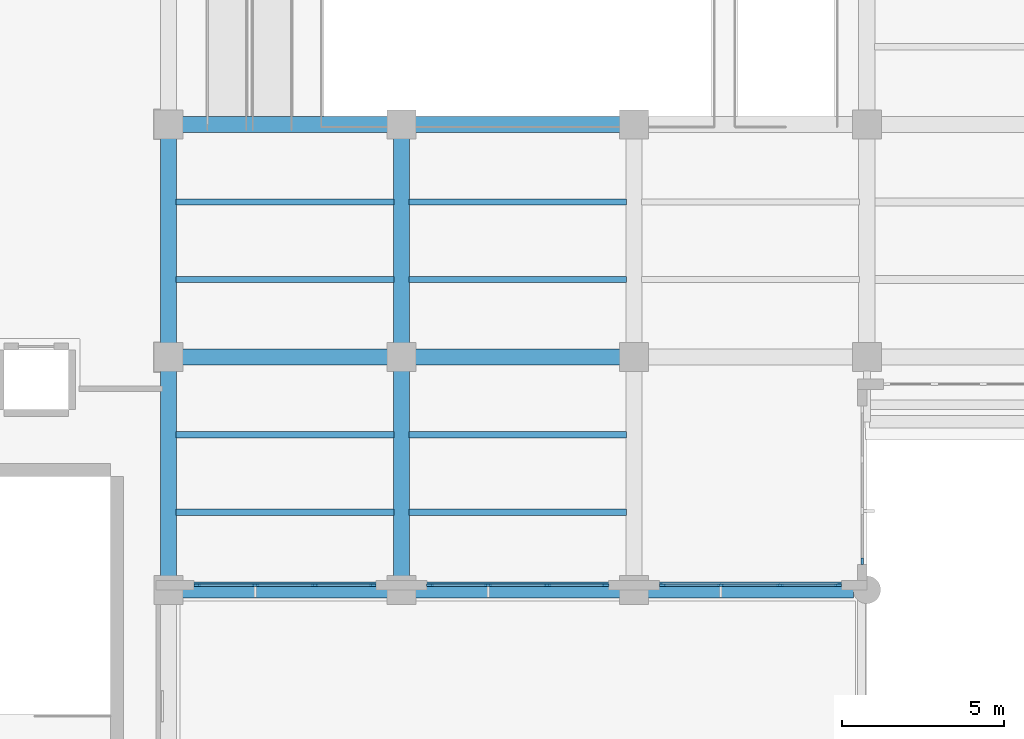
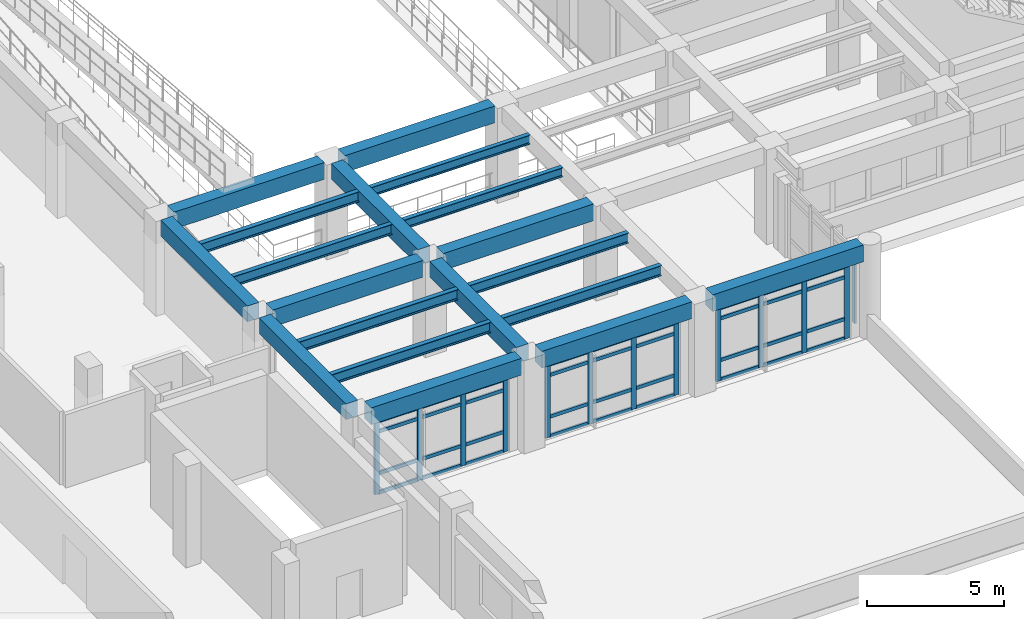
# One storey, part 4 of 69: 49 members, 19 beams, 4 elements without a shape of their own.
"""IFC4 building model written with IfcOpenShell, lengths in metres."""

from ifc_helpers import new_model, si_unit, direction, frame, origin, origin_2d, place, context, subcontext, project, spatial, rectangle, i_section, extrude, material, layer, layer_set, material_profile, profile_set, type_object, element, aggregate, save


model = new_model("IFC4")

# Units and contexts
model_context = context("Model", 3, precision=1e-05, world=origin(), true_north=direction((0.0, 1.0)))
body_context = subcontext(model_context, "Body", "Model", "MODEL_VIEW")
ifc_project = project(units=[si_unit("LENGTHUNIT", "METRE"), si_unit("AREAUNIT", "SQUARE_METRE"), si_unit("VOLUMEUNIT", "CUBIC_METRE"), si_unit("PLANEANGLEUNIT", "RADIAN"), si_unit("MASSUNIT", "GRAM", prefix="KILO")], contexts=[model_context])

# Site, building, storey
site_placement = place(None, origin())
site = spatial("IfcSite", under=ifc_project, at=site_placement, CompositionType="ELEMENT")
building_placement = place(site_placement, origin())
building = spatial("IfcBuilding", under=site, at=building_placement, Name="Solenvale Faculty of Natural Sciences", CompositionType="ELEMENT")
storey_placement = place(building_placement, frame((0.0, 0.0, 4.5)))
storey = spatial("IfcBuildingStorey", under=building, at=storey_placement, Name="L01", CompositionType="ELEMENT", Elevation=4.5)

# Beams
ifc_material_1 = material(Name="Concrete 40 MPa", Category="concrete")
ifc_material_profile_1 = material_profile(ifc_material_1, rectangle(XDim=0.5, YDim=0.699951171875, at=origin_2d()), Name="RC-BM-500x700")
ifc_profile_set_1 = profile_set([ifc_material_profile_1], Name="Concrete 40 MPa")
beam_type_1 = type_object("IfcBeamType", Name="BM-RC-500x700", PredefinedType="BEAM", material=ifc_profile_set_1)
beam_1_placement = place(storey_placement, frame((36.0, 14.830078125, 3.8701171875), z_axis=(0.0, 1.0, 0.0), x_axis=(-1.0, 0.0, 0.0)))
element("IfcBeam", 1, at=beam_1_placement, inside=storey, type_object=beam_type_1, Name="L01 Y-Girder X36.0 (14.4..21.6)", PredefinedType="BEAM", context=body_context, shape_type="SweptSolid", body=[
    extrude(rectangle(XDim=0.5, YDim=0.699951171875, at=origin_2d()), origin(), (0.0, 0.0, 1.0), 6.33984375),
])
beam_2_placement = place(storey_placement, frame((36.0, 22.030029296875, 3.8701171875), z_axis=(0.0, 1.0, 0.0), x_axis=(-1.0, 0.0, 0.0)))
element("IfcBeam", 2, at=beam_2_placement, inside=storey, type_object=beam_type_1, Name="L01 Y-Girder X36.0 (21.6..28.8)", PredefinedType="BEAM", context=body_context, shape_type="SweptSolid", body=[
    extrude(rectangle(XDim=0.5, YDim=0.699951171875, at=origin_2d()), origin(), (0.0, 0.0, 1.0), 6.340087890625),
])
beam_3_placement = place(storey_placement, frame((43.199951171875, 14.830078125, 3.8701171875), z_axis=(0.0, 1.0, 0.0), x_axis=(-1.0, 0.0, 0.0)))
element("IfcBeam", 3, at=beam_3_placement, inside=storey, type_object=beam_type_1, Name="L01 Y-Girder X43.2 (14.4..21.6)", PredefinedType="BEAM", context=body_context, shape_type="SweptSolid", body=[
    extrude(rectangle(XDim=0.5, YDim=0.699951171875, at=origin_2d()), origin(), (0.0, 0.0, 1.0), 6.33984375),
])
beam_4_placement = place(storey_placement, frame((43.199951171875, 22.030029296875, 3.8701171875), z_axis=(0.0, 1.0, 0.0), x_axis=(-1.0, 0.0, 0.0)))
element("IfcBeam", 4, at=beam_4_placement, inside=storey, type_object=beam_type_1, Name="L01 Y-Girder X43.2 (21.6..28.8)", PredefinedType="BEAM", context=body_context, shape_type="SweptSolid", body=[
    extrude(rectangle(XDim=0.5, YDim=0.699951171875, at=origin_2d()), origin(), (0.0, 0.0, 1.0), 6.340087890625),
])
ifc_material_profile_2 = material_profile(ifc_material_1, rectangle(XDim=0.5, YDim=0.75, at=origin_2d()), Name="RC-BM-500x750")
ifc_profile_set_2 = profile_set([ifc_material_profile_2], Name="Concrete 40 MPa")
beam_type_2 = type_object("IfcBeamType", Name="BM-RC-500x750", PredefinedType="BEAM", material=ifc_profile_set_2)
for number, where, z_axis, x_axis, name in (
    (5, (36.429931640625, 14.39990234375, 3.844970703125), (1.0, 0.0, 0.0), (0.0, 1.0, 0.0), "L01 X-Girder Y14.4 (36.0..43.2)"),
    (6, (43.6298828125, 14.39990234375, 3.844970703125), (1.0, 0.0, 0.0), (0.0, 1.0, 0.0), "L01 X-Girder Y14.4 (43.2..50.4)"),
):
    element("IfcBeam", number, at=place(storey_placement, frame(where, z_axis=z_axis, x_axis=x_axis)), inside=storey, type_object=beam_type_2, Name=name, PredefinedType="BEAM", context=body_context, shape_type="SweptSolid", body=[
        extrude(rectangle(XDim=0.5, YDim=0.75, at=origin_2d()), origin(), (0.0, 0.0, 1.0), 6.340087890625),
    ])
beam_5_placement = place(storey_placement, frame((50.830078125, 14.39990234375, 3.844970703125), z_axis=(1.0, 0.0, 0.0), x_axis=(0.0, 1.0, 0.0)))
element("IfcBeam", 7, at=beam_5_placement, inside=storey, type_object=beam_type_2, Name="L01 X-Girder Y14.4 (50.4..57.6)", PredefinedType="BEAM", context=body_context, shape_type="SweptSolid", body=[
    extrude(rectangle(XDim=0.5, YDim=0.75, at=origin_2d()), origin(), (0.0, 0.0, 1.0), 6.364990234375),
])
for number, where, z_axis, x_axis, name in (
    (8, (36.429931640625, 21.60009765625, 3.844970703125), (1.0, 0.0, 0.0), (0.0, 1.0, 0.0), "L01 X-Girder Y21.6 (36.0..43.2)"),
    (9, (43.6298828125, 21.60009765625, 3.844970703125), (1.0, 0.0, 0.0), (0.0, 1.0, 0.0), "L01 X-Girder Y21.6 (43.2..50.4)"),
    (10, (36.429931640625, 28.800048828125, 3.844970703125), (1.0, 0.0, 0.0), (0.0, 1.0, 0.0), "L01 X-Girder Y28.8 (36.0..43.2)"),
    (11, (43.6298828125, 28.800048828125, 3.844970703125), (1.0, 0.0, 0.0), (0.0, 1.0, 0.0), "L01 X-Girder Y28.8 (43.2..50.4)"),
):
    element("IfcBeam", number, at=place(storey_placement, frame(where, z_axis=z_axis, x_axis=x_axis)), inside=storey, type_object=beam_type_2, Name=name, PredefinedType="BEAM", context=body_context, shape_type="SweptSolid", body=[
        extrude(rectangle(XDim=0.5, YDim=0.75, at=origin_2d()), origin(), (0.0, 0.0, 1.0), 6.340087890625),
    ])
ifc_material_2 = material(Name="Steel S355", Category="steel")
ifc_material_profile_3 = material_profile(ifc_material_2, i_section(OverallWidth=0.180908203125, OverallDepth=0.4169921875, WebThickness=0.010986328125, FlangeThickness=0.018310546875, FilletRadius=0.01611328125, at=origin_2d()), Name="W410x85")
ifc_profile_set_3 = profile_set([ifc_material_profile_3], Name="Steel S355")
beam_type_3 = type_object("IfcBeamType", Name="BM-STL-W410x85", PredefinedType="JOIST", material=ifc_profile_set_3)
for number, where, z_axis, x_axis, name in (
    (12, (43.429931640625, 24.0, 4.011474609375), (1.0, 0.0, 0.0), (0.0, 1.0, 0.0), "L01 Composite Floor Joist (7,4).1"),
    (13, (43.429931640625, 26.39990234375, 4.011474609375), (1.0, 0.0, 0.0), (0.0, 1.0, 0.0), "L01 Composite Floor Joist (7,4).2"),
):
    element("IfcBeam", number, at=place(storey_placement, frame(where, z_axis=z_axis, x_axis=x_axis)), inside=storey, type_object=beam_type_3, Name=name, PredefinedType="JOIST", context=body_context, shape_type="SweptSolid", body=[
        extrude(i_section(OverallWidth=0.180908203125, OverallDepth=0.4169921875, WebThickness=0.010986328125, FlangeThickness=0.018310546875, FilletRadius=0.01611328125, at=origin_2d()), origin(), (0.0, 0.0, 1.0), 6.739990234375),
    ])
ifc_material_profile_4 = material_profile(ifc_material_2, i_section(OverallWidth=0.194091796875, OverallDepth=0.468994140625, WebThickness=0.0126953125, FlangeThickness=0.0205078125, FilletRadius=0.01806640625, at=origin_2d()), Name="W460x106")
ifc_profile_set_4 = profile_set([ifc_material_profile_4], Name="Steel S355")
beam_type_4 = type_object("IfcBeamType", Name="BM-STL-W460x106", PredefinedType="JOIST", material=ifc_profile_set_4)
for number, where, z_axis, x_axis, name in (
    (14, (36.22998046875, 16.800048828125, 3.985595703125), (1.0, 0.0, 0.0), (0.0, 1.0, 0.0), "L01 Composite Floor Joist (6,3).1"),
    (15, (36.22998046875, 19.199951171875, 3.985595703125), (1.0, 0.0, 0.0), (0.0, 1.0, 0.0), "L01 Composite Floor Joist (6,3).2"),
):
    element("IfcBeam", number, at=place(storey_placement, frame(where, z_axis=z_axis, x_axis=x_axis)), inside=storey, type_object=beam_type_4, Name=name, PredefinedType="JOIST", context=body_context, shape_type="SweptSolid", body=[
        extrude(i_section(OverallWidth=0.194091796875, OverallDepth=0.468994140625, WebThickness=0.0126953125, FlangeThickness=0.0205078125, FilletRadius=0.01806640625, at=origin_2d()), origin(), (0.0, 0.0, 1.0), 6.739990234375),
    ])
ifc_material_profile_5 = material_profile(ifc_material_2, i_section(OverallWidth=0.19091796875, OverallDepth=0.4599609375, WebThickness=0.010009765625, FlangeThickness=0.01611328125, FilletRadius=0.01806640625, at=origin_2d()), Name="W460x82")
ifc_profile_set_5 = profile_set([ifc_material_profile_5], Name="Steel S355")
beam_type_5 = type_object("IfcBeamType", Name="BM-STL-W460x82", PredefinedType="JOIST", material=ifc_profile_set_5)
for number, where, z_axis, x_axis, name in (
    (16, (36.22998046875, 24.0, 3.989990234375), (1.0, 0.0, 0.0), (0.0, 1.0, 0.0), "L01 Composite Floor Joist (6,4).1"),
    (17, (36.22998046875, 26.39990234375, 3.989990234375), (1.0, 0.0, 0.0), (0.0, 1.0, 0.0), "L01 Composite Floor Joist (6,4).2"),
    (18, (43.429931640625, 16.800048828125, 3.989990234375), (1.0, 0.0, 0.0), (0.0, 1.0, 0.0), "L01 Composite Floor Joist (7,3).1"),
    (19, (43.429931640625, 19.199951171875, 3.989990234375), (1.0, 0.0, 0.0), (0.0, 1.0, 0.0), "L01 Composite Floor Joist (7,3).2"),
):
    element("IfcBeam", number, at=place(storey_placement, frame(where, z_axis=z_axis, x_axis=x_axis)), inside=storey, type_object=beam_type_5, Name=name, PredefinedType="JOIST", context=body_context, shape_type="SweptSolid", body=[
        extrude(i_section(OverallWidth=0.19091796875, OverallDepth=0.4599609375, WebThickness=0.010009765625, FlangeThickness=0.01611328125, FilletRadius=0.01806640625, at=origin_2d()), origin(), (0.0, 0.0, 1.0), 6.739990234375),
    ])

# Curtain wall, members
ifc_material_3 = material(Name="Anodised bronze aluminium", Category="aluminium")
ifc_layer = layer(ifc_material_3, 0.215087890625)
ifc_layer_set = layer_set([ifc_layer], Name="Anodised bronze aluminium")
curtain_wall_type = type_object("IfcCurtainWallType", Name="CW-ATR-UNIT", PredefinedType="USERDEFINED", material=ifc_layer_set)
curtain_wall_1_placement = place(storey_placement, origin())
curtain_wall_1 = element("IfcCurtainWall", 20, at=curtain_wall_1_placement, inside=storey, type_object=curtain_wall_type, Name="L01 Curtain Wall CW-L01-P1-E3-B1", ObjectType="UNITISED CURTAIN WALL", PredefinedType="USERDEFINED")
ifc_material_profile_6 = material_profile(ifc_material_3, rectangle(XDim=0.074951171875, YDim=0.2099609375, at=origin_2d()), Name="ALU-MUL-75x210")
ifc_profile_set_6 = profile_set([ifc_material_profile_6], Name="Anodised bronze aluminium")
member_type_1 = type_object("IfcMemberType", Name="CWM-ALU-75x210", PredefinedType="MULLION", material=ifc_profile_set_6)
member_1_placement = place(storey_placement, frame((36.887451171875, 14.54248046875, 0.0), z_axis=(0.0, 0.0, 1.0), x_axis=(0.0, 1.0, 0.0)))
member_1 = element("IfcMember", 21, at=member_1_placement, type_object=member_type_1, Name="CW-01 mullion 1", PredefinedType="MULLION", context=body_context, shape_type="SweptSolid", body=[
    extrude(rectangle(XDim=0.074951171875, YDim=0.2099609375, at=origin_2d()), origin(), (0.0, 0.0, 1.0), 3.260009765625),
])
member_2_placement = place(storey_placement, frame((38.683349609375, 14.54248046875, 0.0), z_axis=(0.0, 0.0, 1.0), x_axis=(0.0, 1.0, 0.0)))
member_2 = element("IfcMember", 22, at=member_2_placement, type_object=member_type_1, Name="CW-01 mullion 2", PredefinedType="MULLION", context=body_context, shape_type="SweptSolid", body=[
    extrude(rectangle(XDim=0.074951171875, YDim=0.2099609375, at=origin_2d()), origin(), (0.0, 0.0, 1.0), 3.260009765625),
])
member_3_placement = place(storey_placement, frame((40.5166015625, 14.54248046875, 0.0), z_axis=(0.0, 0.0, 1.0), x_axis=(0.0, 1.0, 0.0)))
member_3 = element("IfcMember", 23, at=member_3_placement, type_object=member_type_1, Name="CW-01 mullion 3", PredefinedType="MULLION", context=body_context, shape_type="SweptSolid", body=[
    extrude(rectangle(XDim=0.074951171875, YDim=0.2099609375, at=origin_2d()), origin(), (0.0, 0.0, 1.0), 3.260009765625),
])
member_4_placement = place(storey_placement, frame((42.3125, 14.54248046875, 0.0), z_axis=(0.0, 0.0, 1.0), x_axis=(0.0, 1.0, 0.0)))
member_4 = element("IfcMember", 24, at=member_4_placement, type_object=member_type_1, Name="CW-01 mullion 4", PredefinedType="MULLION", context=body_context, shape_type="SweptSolid", body=[
    extrude(rectangle(XDim=0.074951171875, YDim=0.2099609375, at=origin_2d()), origin(), (0.0, 0.0, 1.0), 3.260009765625),
])

curtain_wall_2_placement = place(storey_placement, origin())
curtain_wall_2 = element("IfcCurtainWall", 25, at=curtain_wall_2_placement, inside=storey, type_object=curtain_wall_type, Name="L01 Curtain Wall CW-L01-P1-E3-B2", ObjectType="UNITISED CURTAIN WALL", PredefinedType="USERDEFINED")
member_5_placement = place(storey_placement, frame((44.08740234375, 14.54248046875, 0.0), z_axis=(0.0, 0.0, 1.0), x_axis=(0.0, 1.0, 0.0)))
member_5 = element("IfcMember", 26, at=member_5_placement, type_object=member_type_1, Name="CW-01 mullion 1", PredefinedType="MULLION", context=body_context, shape_type="SweptSolid", body=[
    extrude(rectangle(XDim=0.074951171875, YDim=0.2099609375, at=origin_2d()), origin(), (0.0, 0.0, 1.0), 3.260009765625),
])
member_6_placement = place(storey_placement, frame((45.88330078125, 14.54248046875, 0.0), z_axis=(0.0, 0.0, 1.0), x_axis=(0.0, 1.0, 0.0)))
member_6 = element("IfcMember", 27, at=member_6_placement, type_object=member_type_1, Name="CW-01 mullion 2", PredefinedType="MULLION", context=body_context, shape_type="SweptSolid", body=[
    extrude(rectangle(XDim=0.074951171875, YDim=0.2099609375, at=origin_2d()), origin(), (0.0, 0.0, 1.0), 3.260009765625),
])
member_7_placement = place(storey_placement, frame((47.716552734375, 14.54248046875, 0.0), z_axis=(0.0, 0.0, 1.0), x_axis=(0.0, 1.0, 0.0)))
member_7 = element("IfcMember", 28, at=member_7_placement, type_object=member_type_1, Name="CW-01 mullion 3", PredefinedType="MULLION", context=body_context, shape_type="SweptSolid", body=[
    extrude(rectangle(XDim=0.074951171875, YDim=0.2099609375, at=origin_2d()), origin(), (0.0, 0.0, 1.0), 3.260009765625),
])
member_8_placement = place(storey_placement, frame((49.512451171875, 14.54248046875, 0.0), z_axis=(0.0, 0.0, 1.0), x_axis=(0.0, 1.0, 0.0)))
member_8 = element("IfcMember", 29, at=member_8_placement, type_object=member_type_1, Name="CW-01 mullion 4", PredefinedType="MULLION", context=body_context, shape_type="SweptSolid", body=[
    extrude(rectangle(XDim=0.074951171875, YDim=0.2099609375, at=origin_2d()), origin(), (0.0, 0.0, 1.0), 3.260009765625),
])

curtain_wall_3_placement = place(storey_placement, origin())
curtain_wall_3 = element("IfcCurtainWall", 30, at=curtain_wall_3_placement, inside=storey, type_object=curtain_wall_type, Name="L01 Curtain Wall CW-L01-P1-E3-B3", ObjectType="UNITISED CURTAIN WALL", PredefinedType="USERDEFINED")
member_9_placement = place(storey_placement, frame((51.28759765625, 14.54248046875, 0.0), z_axis=(0.0, 0.0, 1.0), x_axis=(0.0, 1.0, 0.0)))
member_9 = element("IfcMember", 31, at=member_9_placement, type_object=member_type_1, Name="CW-01 mullion 1", PredefinedType="MULLION", context=body_context, shape_type="SweptSolid", body=[
    extrude(rectangle(XDim=0.074951171875, YDim=0.2099609375, at=origin_2d()), origin(), (0.0, 0.0, 1.0), 3.260009765625),
])
member_10_placement = place(storey_placement, frame((53.083251953125, 14.54248046875, 0.0), z_axis=(0.0, 0.0, 1.0), x_axis=(0.0, 1.0, 0.0)))
member_10 = element("IfcMember", 32, at=member_10_placement, type_object=member_type_1, Name="CW-01 mullion 2", PredefinedType="MULLION", context=body_context, shape_type="SweptSolid", body=[
    extrude(rectangle(XDim=0.074951171875, YDim=0.2099609375, at=origin_2d()), origin(), (0.0, 0.0, 1.0), 3.260009765625),
])
member_11_placement = place(storey_placement, frame((54.916748046875, 14.54248046875, 0.0), z_axis=(0.0, 0.0, 1.0), x_axis=(0.0, 1.0, 0.0)))
member_11 = element("IfcMember", 33, at=member_11_placement, type_object=member_type_1, Name="CW-01 mullion 3", PredefinedType="MULLION", context=body_context, shape_type="SweptSolid", body=[
    extrude(rectangle(XDim=0.074951171875, YDim=0.2099609375, at=origin_2d()), origin(), (0.0, 0.0, 1.0), 3.260009765625),
])
member_12_placement = place(storey_placement, frame((56.71240234375, 14.54248046875, 0.0), z_axis=(0.0, 0.0, 1.0), x_axis=(0.0, 1.0, 0.0)))
member_12 = element("IfcMember", 34, at=member_12_placement, type_object=member_type_1, Name="CW-01 mullion 4", PredefinedType="MULLION", context=body_context, shape_type="SweptSolid", body=[
    extrude(rectangle(XDim=0.074951171875, YDim=0.2099609375, at=origin_2d()), origin(), (0.0, 0.0, 1.0), 3.260009765625),
])

# Curtain wall, member
curtain_wall_4_placement = place(storey_placement, origin())
curtain_wall_4 = element("IfcCurtainWall", 35, at=curtain_wall_4_placement, inside=storey, type_object=curtain_wall_type, Name="L01 Curtain Wall CW-L01-P1-E4-B1", ObjectType="UNITISED CURTAIN WALL", PredefinedType="USERDEFINED")
member_13_placement = place(storey_placement, frame((57.45751953125, 15.28759765625, 0.0), z_axis=(0.0, 0.0, 1.0), x_axis=(-1.0, 0.0, 0.0)))
member_13 = element("IfcMember", 36, at=member_13_placement, type_object=member_type_1, Name="CW-01 mullion 1", PredefinedType="MULLION", context=body_context, shape_type="SweptSolid", body=[
    extrude(rectangle(XDim=0.074951171875, YDim=0.2099609375, at=origin_2d()), origin(), (0.0, 0.0, 1.0), 3.260009765625),
])
aggregate(curtain_wall_4, [member_13])

# Member
ifc_material_profile_7 = material_profile(ifc_material_3, rectangle(XDim=0.074951171875, YDim=0.155029296875, at=origin_2d()), Name="ALU-TRN-75x155")
ifc_profile_set_7 = profile_set([ifc_material_profile_7], Name="Anodised bronze aluminium")
member_type_2 = type_object("IfcMemberType", Name="CWT-ALU-75x155", PredefinedType="USERDEFINED", material=ifc_profile_set_7)
member_14_placement = place(storey_placement, frame((36.925048828125, 14.54248046875, 0.03759765625), z_axis=(1.0, 0.0, 0.0), x_axis=(0.0, 1.0, 0.0)))
member_14 = element("IfcMember", 37, at=member_14_placement, type_object=member_type_2, Name="CW-01 transom 1.1", ObjectType="TRANSOM", PredefinedType="USERDEFINED", context=body_context, shape_type="SweptSolid", body=[
    extrude(rectangle(XDim=0.074951171875, YDim=0.155029296875, at=origin_2d()), origin(), (0.0, 0.0, 1.0), 1.720703125),
])

member_15_placement = place(storey_placement, frame((36.925048828125, 14.54248046875, 0.89990234375), z_axis=(1.0, 0.0, 0.0), x_axis=(0.0, 1.0, 0.0)))
member_15 = element("IfcMember", 38, at=member_15_placement, type_object=member_type_2, Name="CW-01 transom 1.2", ObjectType="TRANSOM", PredefinedType="USERDEFINED", context=body_context, shape_type="SweptSolid", body=[
    extrude(rectangle(XDim=0.074951171875, YDim=0.155029296875, at=origin_2d()), origin(), (0.0, 0.0, 1.0), 1.720703125),
])

member_16_placement = place(storey_placement, frame((36.925048828125, 14.54248046875, 2.760009765625), z_axis=(1.0, 0.0, 0.0), x_axis=(0.0, 1.0, 0.0)))
member_16 = element("IfcMember", 39, at=member_16_placement, type_object=member_type_2, Name="CW-01 transom 1.3", ObjectType="TRANSOM", PredefinedType="USERDEFINED", context=body_context, shape_type="SweptSolid", body=[
    extrude(rectangle(XDim=0.074951171875, YDim=0.155029296875, at=origin_2d()), origin(), (0.0, 0.0, 1.0), 1.720703125),
])

member_17_placement = place(storey_placement, frame((36.925048828125, 14.54248046875, 3.222412109375), z_axis=(1.0, 0.0, 0.0), x_axis=(0.0, 1.0, 0.0)))
member_17 = element("IfcMember", 40, at=member_17_placement, type_object=member_type_2, Name="CW-01 transom 1.4", ObjectType="TRANSOM", PredefinedType="USERDEFINED", context=body_context, shape_type="SweptSolid", body=[
    extrude(rectangle(XDim=0.074951171875, YDim=0.155029296875, at=origin_2d()), origin(), (0.0, 0.0, 1.0), 1.720703125),
])

member_18_placement = place(storey_placement, frame((38.720947265625, 14.54248046875, 0.03759765625), z_axis=(1.0, 0.0, 0.0), x_axis=(0.0, 1.0, 0.0)))
member_18 = element("IfcMember", 41, at=member_18_placement, type_object=member_type_2, Name="CW-01 transom 2.1", ObjectType="TRANSOM", PredefinedType="USERDEFINED", context=body_context, shape_type="SweptSolid", body=[
    extrude(rectangle(XDim=0.074951171875, YDim=0.155029296875, at=origin_2d()), origin(), (0.0, 0.0, 1.0), 1.75830078125),
])

member_19_placement = place(storey_placement, frame((38.720947265625, 14.54248046875, 0.89990234375), z_axis=(1.0, 0.0, 0.0), x_axis=(0.0, 1.0, 0.0)))
member_19 = element("IfcMember", 42, at=member_19_placement, type_object=member_type_2, Name="CW-01 transom 2.2", ObjectType="TRANSOM", PredefinedType="USERDEFINED", context=body_context, shape_type="SweptSolid", body=[
    extrude(rectangle(XDim=0.074951171875, YDim=0.155029296875, at=origin_2d()), origin(), (0.0, 0.0, 1.0), 1.75830078125),
])

member_20_placement = place(storey_placement, frame((38.720947265625, 14.54248046875, 2.760009765625), z_axis=(1.0, 0.0, 0.0), x_axis=(0.0, 1.0, 0.0)))
member_20 = element("IfcMember", 43, at=member_20_placement, type_object=member_type_2, Name="CW-01 transom 2.3", ObjectType="TRANSOM", PredefinedType="USERDEFINED", context=body_context, shape_type="SweptSolid", body=[
    extrude(rectangle(XDim=0.074951171875, YDim=0.155029296875, at=origin_2d()), origin(), (0.0, 0.0, 1.0), 1.75830078125),
])

member_21_placement = place(storey_placement, frame((38.720947265625, 14.54248046875, 3.222412109375), z_axis=(1.0, 0.0, 0.0), x_axis=(0.0, 1.0, 0.0)))
member_21 = element("IfcMember", 44, at=member_21_placement, type_object=member_type_2, Name="CW-01 transom 2.4", ObjectType="TRANSOM", PredefinedType="USERDEFINED", context=body_context, shape_type="SweptSolid", body=[
    extrude(rectangle(XDim=0.074951171875, YDim=0.155029296875, at=origin_2d()), origin(), (0.0, 0.0, 1.0), 1.75830078125),
])

member_22_placement = place(storey_placement, frame((40.55419921875, 14.54248046875, 0.03759765625), z_axis=(1.0, 0.0, 0.0), x_axis=(0.0, 1.0, 0.0)))
member_22 = element("IfcMember", 45, at=member_22_placement, type_object=member_type_2, Name="CW-01 transom 3.1", ObjectType="TRANSOM", PredefinedType="USERDEFINED", context=body_context, shape_type="SweptSolid", body=[
    extrude(rectangle(XDim=0.074951171875, YDim=0.155029296875, at=origin_2d()), origin(), (0.0, 0.0, 1.0), 1.720703125),
])

member_23_placement = place(storey_placement, frame((40.55419921875, 14.54248046875, 0.89990234375), z_axis=(1.0, 0.0, 0.0), x_axis=(0.0, 1.0, 0.0)))
member_23 = element("IfcMember", 46, at=member_23_placement, type_object=member_type_2, Name="CW-01 transom 3.2", ObjectType="TRANSOM", PredefinedType="USERDEFINED", context=body_context, shape_type="SweptSolid", body=[
    extrude(rectangle(XDim=0.074951171875, YDim=0.155029296875, at=origin_2d()), origin(), (0.0, 0.0, 1.0), 1.720703125),
])

member_24_placement = place(storey_placement, frame((40.55419921875, 14.54248046875, 2.760009765625), z_axis=(1.0, 0.0, 0.0), x_axis=(0.0, 1.0, 0.0)))
member_24 = element("IfcMember", 47, at=member_24_placement, type_object=member_type_2, Name="CW-01 transom 3.3", ObjectType="TRANSOM", PredefinedType="USERDEFINED", context=body_context, shape_type="SweptSolid", body=[
    extrude(rectangle(XDim=0.074951171875, YDim=0.155029296875, at=origin_2d()), origin(), (0.0, 0.0, 1.0), 1.720703125),
])

member_25_placement = place(storey_placement, frame((40.55419921875, 14.54248046875, 3.222412109375), z_axis=(1.0, 0.0, 0.0), x_axis=(0.0, 1.0, 0.0)))
member_25 = element("IfcMember", 48, at=member_25_placement, type_object=member_type_2, Name="CW-01 transom 3.4", ObjectType="TRANSOM", PredefinedType="USERDEFINED", context=body_context, shape_type="SweptSolid", body=[
    extrude(rectangle(XDim=0.074951171875, YDim=0.155029296875, at=origin_2d()), origin(), (0.0, 0.0, 1.0), 1.720703125),
])

aggregate(curtain_wall_1, [member_1, member_2, member_3, member_4, member_14, member_15, member_16, member_17, member_18, member_19, member_20, member_21, member_22, member_23, member_24, member_25])

member_26_placement = place(storey_placement, frame((44.125, 14.54248046875, 0.03759765625), z_axis=(1.0, 0.0, 0.0), x_axis=(0.0, 1.0, 0.0)))
member_26 = element("IfcMember", 49, at=member_26_placement, type_object=member_type_2, Name="CW-01 transom 1.1", ObjectType="TRANSOM", PredefinedType="USERDEFINED", context=body_context, shape_type="SweptSolid", body=[
    extrude(rectangle(XDim=0.074951171875, YDim=0.155029296875, at=origin_2d()), origin(), (0.0, 0.0, 1.0), 1.720947265625),
])

member_27_placement = place(storey_placement, frame((44.125, 14.54248046875, 0.89990234375), z_axis=(1.0, 0.0, 0.0), x_axis=(0.0, 1.0, 0.0)))
member_27 = element("IfcMember", 50, at=member_27_placement, type_object=member_type_2, Name="CW-01 transom 1.2", ObjectType="TRANSOM", PredefinedType="USERDEFINED", context=body_context, shape_type="SweptSolid", body=[
    extrude(rectangle(XDim=0.074951171875, YDim=0.155029296875, at=origin_2d()), origin(), (0.0, 0.0, 1.0), 1.720947265625),
])

member_28_placement = place(storey_placement, frame((44.125, 14.54248046875, 2.760009765625), z_axis=(1.0, 0.0, 0.0), x_axis=(0.0, 1.0, 0.0)))
member_28 = element("IfcMember", 51, at=member_28_placement, type_object=member_type_2, Name="CW-01 transom 1.3", ObjectType="TRANSOM", PredefinedType="USERDEFINED", context=body_context, shape_type="SweptSolid", body=[
    extrude(rectangle(XDim=0.074951171875, YDim=0.155029296875, at=origin_2d()), origin(), (0.0, 0.0, 1.0), 1.720947265625),
])

member_29_placement = place(storey_placement, frame((44.125, 14.54248046875, 3.222412109375), z_axis=(1.0, 0.0, 0.0), x_axis=(0.0, 1.0, 0.0)))
member_29 = element("IfcMember", 52, at=member_29_placement, type_object=member_type_2, Name="CW-01 transom 1.4", ObjectType="TRANSOM", PredefinedType="USERDEFINED", context=body_context, shape_type="SweptSolid", body=[
    extrude(rectangle(XDim=0.074951171875, YDim=0.155029296875, at=origin_2d()), origin(), (0.0, 0.0, 1.0), 1.720947265625),
])

member_30_placement = place(storey_placement, frame((45.9208984375, 14.54248046875, 0.03759765625), z_axis=(1.0, 0.0, 0.0), x_axis=(0.0, 1.0, 0.0)))
member_30 = element("IfcMember", 53, at=member_30_placement, type_object=member_type_2, Name="CW-01 transom 2.1", ObjectType="TRANSOM", PredefinedType="USERDEFINED", context=body_context, shape_type="SweptSolid", body=[
    extrude(rectangle(XDim=0.074951171875, YDim=0.155029296875, at=origin_2d()), origin(), (0.0, 0.0, 1.0), 1.75830078125),
])

member_31_placement = place(storey_placement, frame((45.9208984375, 14.54248046875, 0.89990234375), z_axis=(1.0, 0.0, 0.0), x_axis=(0.0, 1.0, 0.0)))
member_31 = element("IfcMember", 54, at=member_31_placement, type_object=member_type_2, Name="CW-01 transom 2.2", ObjectType="TRANSOM", PredefinedType="USERDEFINED", context=body_context, shape_type="SweptSolid", body=[
    extrude(rectangle(XDim=0.074951171875, YDim=0.155029296875, at=origin_2d()), origin(), (0.0, 0.0, 1.0), 1.75830078125),
])

member_32_placement = place(storey_placement, frame((45.9208984375, 14.54248046875, 2.760009765625), z_axis=(1.0, 0.0, 0.0), x_axis=(0.0, 1.0, 0.0)))
member_32 = element("IfcMember", 55, at=member_32_placement, type_object=member_type_2, Name="CW-01 transom 2.3", ObjectType="TRANSOM", PredefinedType="USERDEFINED", context=body_context, shape_type="SweptSolid", body=[
    extrude(rectangle(XDim=0.074951171875, YDim=0.155029296875, at=origin_2d()), origin(), (0.0, 0.0, 1.0), 1.75830078125),
])

member_33_placement = place(storey_placement, frame((45.9208984375, 14.54248046875, 3.222412109375), z_axis=(1.0, 0.0, 0.0), x_axis=(0.0, 1.0, 0.0)))
member_33 = element("IfcMember", 56, at=member_33_placement, type_object=member_type_2, Name="CW-01 transom 2.4", ObjectType="TRANSOM", PredefinedType="USERDEFINED", context=body_context, shape_type="SweptSolid", body=[
    extrude(rectangle(XDim=0.074951171875, YDim=0.155029296875, at=origin_2d()), origin(), (0.0, 0.0, 1.0), 1.75830078125),
])

member_34_placement = place(storey_placement, frame((47.754150390625, 14.54248046875, 0.03759765625), z_axis=(1.0, 0.0, 0.0), x_axis=(0.0, 1.0, 0.0)))
member_34 = element("IfcMember", 57, at=member_34_placement, type_object=member_type_2, Name="CW-01 transom 3.1", ObjectType="TRANSOM", PredefinedType="USERDEFINED", context=body_context, shape_type="SweptSolid", body=[
    extrude(rectangle(XDim=0.074951171875, YDim=0.155029296875, at=origin_2d()), origin(), (0.0, 0.0, 1.0), 1.720947265625),
])

member_35_placement = place(storey_placement, frame((47.754150390625, 14.54248046875, 0.89990234375), z_axis=(1.0, 0.0, 0.0), x_axis=(0.0, 1.0, 0.0)))
member_35 = element("IfcMember", 58, at=member_35_placement, type_object=member_type_2, Name="CW-01 transom 3.2", ObjectType="TRANSOM", PredefinedType="USERDEFINED", context=body_context, shape_type="SweptSolid", body=[
    extrude(rectangle(XDim=0.074951171875, YDim=0.155029296875, at=origin_2d()), origin(), (0.0, 0.0, 1.0), 1.720947265625),
])

member_36_placement = place(storey_placement, frame((47.754150390625, 14.54248046875, 2.760009765625), z_axis=(1.0, 0.0, 0.0), x_axis=(0.0, 1.0, 0.0)))
member_36 = element("IfcMember", 59, at=member_36_placement, type_object=member_type_2, Name="CW-01 transom 3.3", ObjectType="TRANSOM", PredefinedType="USERDEFINED", context=body_context, shape_type="SweptSolid", body=[
    extrude(rectangle(XDim=0.074951171875, YDim=0.155029296875, at=origin_2d()), origin(), (0.0, 0.0, 1.0), 1.720947265625),
])

member_37_placement = place(storey_placement, frame((47.754150390625, 14.54248046875, 3.222412109375), z_axis=(1.0, 0.0, 0.0), x_axis=(0.0, 1.0, 0.0)))
member_37 = element("IfcMember", 60, at=member_37_placement, type_object=member_type_2, Name="CW-01 transom 3.4", ObjectType="TRANSOM", PredefinedType="USERDEFINED", context=body_context, shape_type="SweptSolid", body=[
    extrude(rectangle(XDim=0.074951171875, YDim=0.155029296875, at=origin_2d()), origin(), (0.0, 0.0, 1.0), 1.720947265625),
])

aggregate(curtain_wall_2, [member_5, member_6, member_7, member_8, member_26, member_27, member_28, member_29, member_30, member_31, member_32, member_33, member_34, member_35, member_36, member_37])

member_38_placement = place(storey_placement, frame((51.324951171875, 14.54248046875, 0.03759765625), z_axis=(1.0, 0.0, 0.0), x_axis=(0.0, 1.0, 0.0)))
member_38 = element("IfcMember", 61, at=member_38_placement, type_object=member_type_2, Name="CW-01 transom 1.1", ObjectType="TRANSOM", PredefinedType="USERDEFINED", context=body_context, shape_type="SweptSolid", body=[
    extrude(rectangle(XDim=0.074951171875, YDim=0.155029296875, at=origin_2d()), origin(), (0.0, 0.0, 1.0), 1.720947265625),
])

member_39_placement = place(storey_placement, frame((51.324951171875, 14.54248046875, 0.89990234375), z_axis=(1.0, 0.0, 0.0), x_axis=(0.0, 1.0, 0.0)))
member_39 = element("IfcMember", 62, at=member_39_placement, type_object=member_type_2, Name="CW-01 transom 1.2", ObjectType="TRANSOM", PredefinedType="USERDEFINED", context=body_context, shape_type="SweptSolid", body=[
    extrude(rectangle(XDim=0.074951171875, YDim=0.155029296875, at=origin_2d()), origin(), (0.0, 0.0, 1.0), 1.720947265625),
])

member_40_placement = place(storey_placement, frame((51.324951171875, 14.54248046875, 2.760009765625), z_axis=(1.0, 0.0, 0.0), x_axis=(0.0, 1.0, 0.0)))
member_40 = element("IfcMember", 63, at=member_40_placement, type_object=member_type_2, Name="CW-01 transom 1.3", ObjectType="TRANSOM", PredefinedType="USERDEFINED", context=body_context, shape_type="SweptSolid", body=[
    extrude(rectangle(XDim=0.074951171875, YDim=0.155029296875, at=origin_2d()), origin(), (0.0, 0.0, 1.0), 1.720947265625),
])

member_41_placement = place(storey_placement, frame((51.324951171875, 14.54248046875, 3.222412109375), z_axis=(1.0, 0.0, 0.0), x_axis=(0.0, 1.0, 0.0)))
member_41 = element("IfcMember", 64, at=member_41_placement, type_object=member_type_2, Name="CW-01 transom 1.4", ObjectType="TRANSOM", PredefinedType="USERDEFINED", context=body_context, shape_type="SweptSolid", body=[
    extrude(rectangle(XDim=0.074951171875, YDim=0.155029296875, at=origin_2d()), origin(), (0.0, 0.0, 1.0), 1.720947265625),
])

member_42_placement = place(storey_placement, frame((53.120849609375, 14.54248046875, 0.03759765625), z_axis=(1.0, 0.0, 0.0), x_axis=(0.0, 1.0, 0.0)))
member_42 = element("IfcMember", 65, at=member_42_placement, type_object=member_type_2, Name="CW-01 transom 2.1", ObjectType="TRANSOM", PredefinedType="USERDEFINED", context=body_context, shape_type="SweptSolid", body=[
    extrude(rectangle(XDim=0.074951171875, YDim=0.155029296875, at=origin_2d()), origin(), (0.0, 0.0, 1.0), 1.75830078125),
])

member_43_placement = place(storey_placement, frame((53.120849609375, 14.54248046875, 0.89990234375), z_axis=(1.0, 0.0, 0.0), x_axis=(0.0, 1.0, 0.0)))
member_43 = element("IfcMember", 66, at=member_43_placement, type_object=member_type_2, Name="CW-01 transom 2.2", ObjectType="TRANSOM", PredefinedType="USERDEFINED", context=body_context, shape_type="SweptSolid", body=[
    extrude(rectangle(XDim=0.074951171875, YDim=0.155029296875, at=origin_2d()), origin(), (0.0, 0.0, 1.0), 1.75830078125),
])

member_44_placement = place(storey_placement, frame((53.120849609375, 14.54248046875, 2.760009765625), z_axis=(1.0, 0.0, 0.0), x_axis=(0.0, 1.0, 0.0)))
member_44 = element("IfcMember", 67, at=member_44_placement, type_object=member_type_2, Name="CW-01 transom 2.3", ObjectType="TRANSOM", PredefinedType="USERDEFINED", context=body_context, shape_type="SweptSolid", body=[
    extrude(rectangle(XDim=0.074951171875, YDim=0.155029296875, at=origin_2d()), origin(), (0.0, 0.0, 1.0), 1.75830078125),
])

member_45_placement = place(storey_placement, frame((53.120849609375, 14.54248046875, 3.222412109375), z_axis=(1.0, 0.0, 0.0), x_axis=(0.0, 1.0, 0.0)))
member_45 = element("IfcMember", 68, at=member_45_placement, type_object=member_type_2, Name="CW-01 transom 2.4", ObjectType="TRANSOM", PredefinedType="USERDEFINED", context=body_context, shape_type="SweptSolid", body=[
    extrude(rectangle(XDim=0.074951171875, YDim=0.155029296875, at=origin_2d()), origin(), (0.0, 0.0, 1.0), 1.75830078125),
])

member_46_placement = place(storey_placement, frame((54.9541015625, 14.54248046875, 0.03759765625), z_axis=(1.0, 0.0, 0.0), x_axis=(0.0, 1.0, 0.0)))
member_46 = element("IfcMember", 69, at=member_46_placement, type_object=member_type_2, Name="CW-01 transom 3.1", ObjectType="TRANSOM", PredefinedType="USERDEFINED", context=body_context, shape_type="SweptSolid", body=[
    extrude(rectangle(XDim=0.074951171875, YDim=0.155029296875, at=origin_2d()), origin(), (0.0, 0.0, 1.0), 1.720947265625),
])

member_47_placement = place(storey_placement, frame((54.9541015625, 14.54248046875, 0.89990234375), z_axis=(1.0, 0.0, 0.0), x_axis=(0.0, 1.0, 0.0)))
member_47 = element("IfcMember", 70, at=member_47_placement, type_object=member_type_2, Name="CW-01 transom 3.2", ObjectType="TRANSOM", PredefinedType="USERDEFINED", context=body_context, shape_type="SweptSolid", body=[
    extrude(rectangle(XDim=0.074951171875, YDim=0.155029296875, at=origin_2d()), origin(), (0.0, 0.0, 1.0), 1.720947265625),
])

member_48_placement = place(storey_placement, frame((54.9541015625, 14.54248046875, 2.760009765625), z_axis=(1.0, 0.0, 0.0), x_axis=(0.0, 1.0, 0.0)))
member_48 = element("IfcMember", 71, at=member_48_placement, type_object=member_type_2, Name="CW-01 transom 3.3", ObjectType="TRANSOM", PredefinedType="USERDEFINED", context=body_context, shape_type="SweptSolid", body=[
    extrude(rectangle(XDim=0.074951171875, YDim=0.155029296875, at=origin_2d()), origin(), (0.0, 0.0, 1.0), 1.720947265625),
])

member_49_placement = place(storey_placement, frame((54.9541015625, 14.54248046875, 3.222412109375), z_axis=(1.0, 0.0, 0.0), x_axis=(0.0, 1.0, 0.0)))
member_49 = element("IfcMember", 72, at=member_49_placement, type_object=member_type_2, Name="CW-01 transom 3.4", ObjectType="TRANSOM", PredefinedType="USERDEFINED", context=body_context, shape_type="SweptSolid", body=[
    extrude(rectangle(XDim=0.074951171875, YDim=0.155029296875, at=origin_2d()), origin(), (0.0, 0.0, 1.0), 1.720947265625),
])

aggregate(curtain_wall_3, [member_9, member_10, member_11, member_12, member_38, member_39, member_40, member_41, member_42, member_43, member_44, member_45, member_46, member_47, member_48, member_49])

save(model, "model.ifc")
